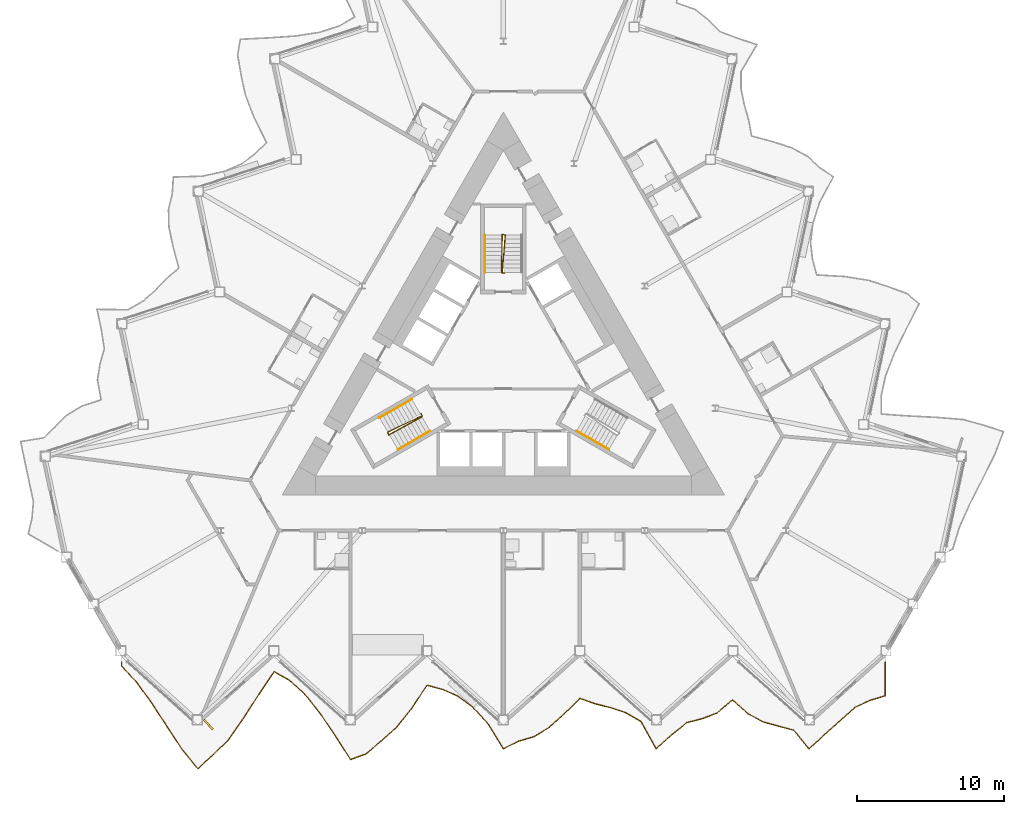
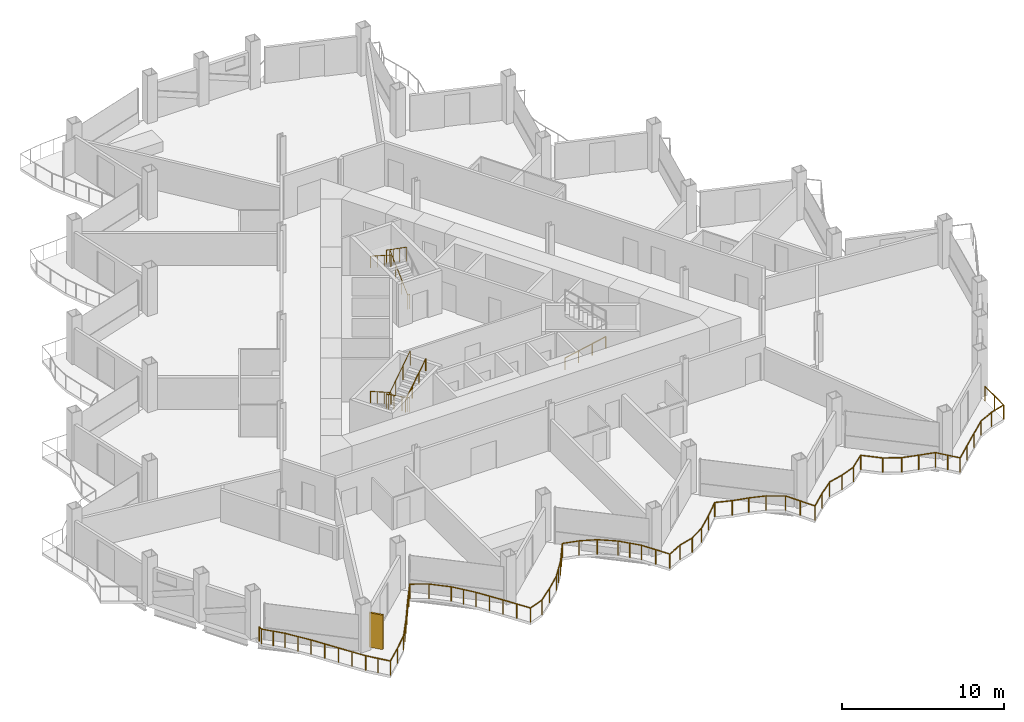
# One storey, part 19 of 23: 7 railings, 1 shading device.
"""IFC4 building model written with IfcOpenShell, lengths in metres."""

from ifc_helpers import new_model, si_unit, direction, frame, origin, origin_2d, place, context, subcontext, project, spatial, rectangle, circle, extrude, material, layer, layer_set, type_object, element, save


model = new_model("IFC4")

# Units and contexts
model_context = context("Model", 3, precision=1e-05, world=origin(), true_north=direction((0.0, 1.0)))
body_context = subcontext(model_context, "Body", "Model", "MODEL_VIEW")
ifc_project = project(units=[si_unit("LENGTHUNIT", "METRE"), si_unit("AREAUNIT", "SQUARE_METRE"), si_unit("VOLUMEUNIT", "CUBIC_METRE"), si_unit("PLANEANGLEUNIT", "RADIAN"), si_unit("MASSUNIT", "GRAM", prefix="KILO")], contexts=[model_context])

# Site, building, storey
site_placement = place(None, origin())
site = spatial("IfcSite", under=ifc_project, at=site_placement, CompositionType="ELEMENT")
building_placement = place(site_placement, origin())
building = spatial("IfcBuilding", under=site, at=building_placement, Name="Cormorant Prow Tower", CompositionType="ELEMENT")
storey_placement = place(building_placement, frame((0.0, 0.0, 259.800048828125)))
storey = spatial("IfcBuildingStorey", under=building, at=storey_placement, Name="L58", CompositionType="ELEMENT", Elevation=259.800048828125)

# Railings
ifc_material_1 = material(Name="Aluminium 6063-T6", Category="aluminium")
railing_type_1 = type_object("IfcRailingType", Name="Balcony guard 1100", PredefinedType="GUARDRAIL", material=ifc_material_1)
railing_1_placement = place(storey_placement, frame((-25.8974609375, -19.973388671875, 0.0)))
element("IfcRailing", 1, at=railing_1_placement, inside=storey, type_object=railing_type_1, Name="Balcony guard S", PredefinedType="GUARDRAIL", context=body_context, shape_type="SweptSolid", body=[
    extrude(circle(Radius=0.02392578125, at=origin_2d()), frame((0.0, 0.0, 1.076171875), z_axis=(0.0, -1.0, 0.0), x_axis=(1.0, 0.0, 0.0)), (0.0, 0.0, 1.0), 0.27001953125),
    extrude(circle(Radius=0.02392578125, at=origin_2d()), frame((0.0, -0.27001953125, 1.076171875), z_axis=(0.680481856102, -0.732764930599, 0.0), x_axis=(0.732764930599, 0.680481856102, 0.0)), (0.0, 0.0, 1.0), 1.522216796875),
    extrude(circle(Radius=0.02392578125, at=origin_2d()), frame((1.035888671875, -1.385498046875, 1.076171875), z_axis=(0.587389439089, -0.809304421616, 0.0), x_axis=(0.809304421616, 0.587389439089, 0.0)), (0.0, 0.0, 1.0), 1.763427734375),
    extrude(circle(Radius=0.02392578125, at=origin_2d()), frame((2.07177734375, -2.812744140625, 1.076171875), z_axis=(0.544735618128, -0.838607838231, 0.0), x_axis=(0.838607838231, 0.544735618128, 0.0)), (0.0, 0.0, 1.0), 1.901611328125),
    extrude(circle(Radius=0.02392578125, at=origin_2d()), frame((3.107666015625, -4.407470703125, 1.076171875), z_axis=(0.551068360191, -0.83446010234, 0.0), x_axis=(0.83446010234, 0.551068360191, 0.0)), (0.0, 0.0, 1.0), 1.8798828125),
    extrude(circle(Radius=0.02392578125, at=origin_2d()), frame((4.1435546875, -5.97607421875, 1.076171875), z_axis=(0.635723007907, -0.771917260603, 0.0), x_axis=(0.771917260603, 0.635723007907, 0.0)), (0.0, 0.0, 1.0), 1.62939453125),
    extrude(circle(Radius=0.02392578125, at=origin_2d()), frame((5.179443359375, -7.23388671875, 1.076171875), z_axis=(0.743093821491, 0.669187247683, 0.0), x_axis=(-0.669187247683, 0.743093821491, 0.0)), (0.0, 0.0, 1.0), 1.39404296875),
    extrude(circle(Radius=0.02392578125, at=origin_2d()), frame((6.21533203125, -6.301025390625, 1.076171875), z_axis=(0.712963473906, 0.701201172899, 0.0), x_axis=(-0.701201172899, 0.712963473906, 0.0)), (0.0, 0.0, 1.0), 1.452880859375),
    extrude(circle(Radius=0.02392578125, at=origin_2d()), frame((7.251220703125, -5.2822265625, 1.076171875), z_axis=(0.571399825957, 0.820671821678, 0.0), x_axis=(-0.820671821678, 0.571399825957, 0.0)), (0.0, 0.0, 1.0), 1.81298828125),
    extrude(circle(Radius=0.02392578125, at=origin_2d()), frame((8.287109375, -3.79443359375, 1.076171875), z_axis=(0.541699329154, 0.840572326926, 0.0), x_axis=(-0.840572326926, 0.541699329154, 0.0)), (0.0, 0.0, 1.0), 1.912353515625),
    extrude(circle(Radius=0.02392578125, at=origin_2d()), frame((9.322998046875, -2.18701171875, 1.076171875), z_axis=(0.560754630421, 0.827982031484, 0.0), x_axis=(-0.827982031484, 0.560754630421, 0.0)), (0.0, 0.0, 1.0), 1.847412109375),
    extrude(circle(Radius=0.02392578125, at=origin_2d()), frame((10.35888671875, -0.657470703125, 1.076171875), z_axis=(0.869702561761, -0.493576188715, 0.0), x_axis=(0.493576188715, 0.869702561761, 0.0)), (0.0, 0.0, 1.0), 1.191162109375),
    extrude(circle(Radius=0.02392578125, at=origin_2d()), frame((11.394775390625, -1.245361328125, 1.076171875), z_axis=(0.740224191917, -0.672360130957, 0.0), x_axis=(0.672360130957, 0.740224191917, 0.0)), (0.0, 0.0, 1.0), 1.3994140625),
    extrude(circle(Radius=0.02392578125, at=origin_2d()), frame((12.4306640625, -2.186279296875, 1.076171875), z_axis=(0.625755603892, -0.780019181943, 0.0), x_axis=(0.780019181943, 0.625755603892, 0.0)), (0.0, 0.0, 1.0), 1.655517578125),
    extrude(circle(Radius=0.02392578125, at=origin_2d()), frame((13.466552734375, -3.4775390625, 1.076171875), z_axis=(0.558918446338, -0.829222630144, 0.0), x_axis=(0.829222630144, 0.558918446338, 0.0)), (0.0, 0.0, 1.0), 1.853271484375),
    extrude(circle(Radius=0.02392578125, at=origin_2d()), frame((14.50244140625, -5.014404296875, 1.076171875), z_axis=(0.542080319834, -0.840326678649, 0.0), x_axis=(0.840326678649, 0.542080319834, 0.0)), (0.0, 0.0, 1.0), 1.911376953125),
    extrude(circle(Radius=0.02392578125, at=origin_2d()), frame((15.53857421875, -6.62060546875, 1.076171875), z_axis=(0.936773013032, 0.349937597373, 0.0), x_axis=(-0.349937597373, 0.936773013032, 0.0)), (0.0, 0.0, 1.0), 1.105712890625),
    extrude(circle(Radius=0.02392578125, at=origin_2d()), frame((16.574462890625, -6.233642578125, 1.076171875), z_axis=(0.767494280324, 0.641055792946, 0.0), x_axis=(-0.641055792946, 0.767494280324, 0.0)), (0.0, 0.0, 1.0), 1.349609375),
    extrude(circle(Radius=0.02392578125, at=origin_2d()), frame((17.6103515625, -5.368408203125, 1.076171875), z_axis=(0.743093821491, 0.669187247683, 0.0), x_axis=(-0.669187247683, 0.743093821491, 0.0)), (0.0, 0.0, 1.0), 1.39404296875),
    extrude(circle(Radius=0.02392578125, at=origin_2d()), frame((18.646240234375, -4.435546875, 1.076171875), z_axis=(0.6284991437, 0.77781027659, 0.0), x_axis=(-0.77781027659, 0.6284991437, 0.0)), (0.0, 0.0, 1.0), 1.648193359375),
    extrude(circle(Radius=0.02392578125, at=origin_2d()), frame((19.68212890625, -3.153564453125, 1.076171875), z_axis=(0.549756895545, 0.83532470082, 0.0), x_axis=(-0.83532470082, 0.549756895545, 0.0)), (0.0, 0.0, 1.0), 1.88427734375),
    extrude(circle(Radius=0.02392578125, at=origin_2d()), frame((20.718017578125, -1.57958984375, 1.076171875), z_axis=(0.966713515695, -0.255861248674, 0.0), x_axis=(0.255861248674, 0.966713515695, 0.0)), (0.0, 0.0, 1.0), 1.071533203125),
    extrude(circle(Radius=0.02392578125, at=origin_2d()), frame((21.75390625, -1.853759765625, 1.076171875), z_axis=(0.917447781883, -0.397856214628, 0.0), x_axis=(0.397856214628, 0.917447781883, 0.0)), (0.0, 0.0, 1.0), 1.129150390625),
    extrude(circle(Radius=0.02392578125, at=origin_2d()), frame((22.789794921875, -2.302978515625, 1.076171875), z_axis=(0.804187958149, -0.594375073475, 0.0), x_axis=(0.594375073475, 0.804187958149, 0.0)), (0.0, 0.0, 1.0), 1.2880859375),
    extrude(circle(Radius=0.02392578125, at=origin_2d()), frame((23.82568359375, -3.068603515625, 1.076171875), z_axis=(0.675465068493, -0.737391986155, 0.0), x_axis=(0.737391986155, 0.675465068493, 0.0)), (0.0, 0.0, 1.0), 1.53369140625),
    extrude(circle(Radius=0.02392578125, at=origin_2d()), frame((24.861572265625, -4.199462890625, 1.076171875), z_axis=(0.523870079516, -0.851798180198, 0.0), x_axis=(0.851798180198, 0.523870079516, 0.0)), (0.0, 0.0, 1.0), 1.977294921875),
    extrude(circle(Radius=0.02392578125, at=origin_2d()), frame((25.8974609375, -5.8837890625, 1.076171875), z_axis=(0.895816294336, 0.444424534428, 0.0), x_axis=(-0.444424534428, 0.895816294336, 0.0)), (0.0, 0.0, 1.0), 1.15625),
    extrude(circle(Radius=0.02392578125, at=origin_2d()), frame((26.933349609375, -5.369873046875, 1.076171875), z_axis=(0.959911268083, 0.28030404458, 0.0), x_axis=(-0.28030404458, 0.959911268083, 0.0)), (0.0, 0.0, 1.0), 1.0791015625),
    extrude(circle(Radius=0.02392578125, at=origin_2d()), frame((27.96923828125, -5.0673828125, 1.076171875), z_axis=(0.853724183098, 0.520725473924, 0.0), x_axis=(-0.520725473924, 0.853724183098, 0.0)), (0.0, 0.0, 1.0), 1.21337890625),
    extrude(circle(Radius=0.02392578125, at=origin_2d()), frame((29.005126953125, -4.435546875, 1.076171875), z_axis=(0.743180914128, 0.669090523678, 0.0), x_axis=(-0.669090523678, 0.743180914128, 0.0)), (0.0, 0.0, 1.0), 1.393798828125),
    extrude(circle(Radius=0.02392578125, at=origin_2d()), frame((30.041015625, -3.5029296875, 1.076171875), z_axis=(0.7063572428, 0.707855525898, 0.0), x_axis=(-0.707855525898, 0.7063572428, 0.0)), (0.0, 0.0, 1.0), 1.466552734375),
    extrude(circle(Radius=0.02392578125, at=origin_2d()), frame((31.076904296875, -2.46484375, 1.076171875), z_axis=(0.94211808637, -0.335281242145, 0.0), x_axis=(0.335281242145, 0.94211808637, 0.0)), (0.0, 0.0, 1.0), 1.099609375),
    extrude(circle(Radius=0.02392578125, at=origin_2d()), frame((32.11279296875, -2.83349609375, 1.076171875), z_axis=(0.970504690177, -0.241082239794, 0.0), x_axis=(0.241082239794, 0.970504690177, 0.0)), (0.0, 0.0, 1.0), 1.0673828125),
    extrude(circle(Radius=0.02392578125, at=origin_2d()), frame((33.148681640625, -3.0908203125, 1.076171875), z_axis=(0.949174297029, -0.314750939411, 0.0), x_axis=(0.314750939411, 0.949174297029, 0.0)), (0.0, 0.0, 1.0), 1.09130859375),
    extrude(circle(Radius=0.02392578125, at=origin_2d()), frame((34.1845703125, -3.434326171875, 1.076171875), z_axis=(0.864583362877, -0.502489411467, 0.0), x_axis=(0.502489411467, 0.864583362877, 0.0)), (0.0, 0.0, 1.0), 1.1982421875),
    extrude(circle(Radius=0.02392578125, at=origin_2d()), frame((35.220458984375, -4.036376953125, 1.076171875), z_axis=(0.489084165063, -0.872236596048, 0.0), x_axis=(0.872236596048, 0.489084165063, 0.0)), (0.0, 0.0, 1.0), 2.117919921875),
    extrude(circle(Radius=0.02392578125, at=origin_2d()), frame((36.25634765625, -5.8837890625, 1.076171875), z_axis=(0.743172233243, 0.669100165698, 0.0), x_axis=(-0.669100165698, 0.743172233243, 0.0)), (0.0, 0.0, 1.0), 1.394287109375),
    extrude(circle(Radius=0.02392578125, at=origin_2d()), frame((37.29248046875, -4.950927734375, 1.076171875), z_axis=(0.776779953516, 0.629772104666, 0.0), x_axis=(-0.629772104666, 0.776779953516, 0.0)), (0.0, 0.0, 1.0), 1.33349609375),
    extrude(circle(Radius=0.02392578125, at=origin_2d()), frame((38.328369140625, -4.111083984375, 1.076171875), z_axis=(0.969697239778, 0.244309768872, 0.0), x_axis=(-0.244309768872, 0.969697239778, 0.0)), (0.0, 0.0, 1.0), 1.068359375),
    extrude(circle(Radius=0.02392578125, at=origin_2d()), frame((39.3642578125, -3.85009765625, 1.076171875), z_axis=(0.933928683632, 0.357459387749, 0.0), x_axis=(-0.357459387749, 0.933928683632, 0.0)), (0.0, 0.0, 1.0), 1.109130859375),
    extrude(circle(Radius=0.02392578125, at=origin_2d()), frame((40.400146484375, -3.45361328125, 1.076171875), z_axis=(0.760836555937, 0.648943553131, 0.0), x_axis=(-0.648943553131, 0.760836555937, 0.0)), (0.0, 0.0, 1.0), 1.361572265625),
    extrude(circle(Radius=0.02392578125, at=origin_2d()), frame((41.43603515625, -2.570068359375, 1.076171875), z_axis=(0.743093821491, -0.669187247683, 0.0), x_axis=(0.669187247683, 0.743093821491, 0.0)), (0.0, 0.0, 1.0), 1.39404296875),
    extrude(circle(Radius=0.02392578125, at=origin_2d()), frame((42.471923828125, -3.5029296875, 1.076171875), z_axis=(0.880271170731, -0.474470932703, 0.0), x_axis=(0.474470932703, 0.880271170731, 0.0)), (0.0, 0.0, 1.0), 1.1767578125),
    extrude(circle(Radius=0.02392578125, at=origin_2d()), frame((43.5078125, -4.061279296875, 1.076171875), z_axis=(0.963787522925, -0.266671353268, 0.0), x_axis=(0.266671353268, 0.963787522925, 0.0)), (0.0, 0.0, 1.0), 1.07470703125),
    extrude(circle(Radius=0.02392578125, at=origin_2d()), frame((44.543701171875, -4.347900390625, 1.076171875), z_axis=(0.965806701137, -0.259263217675, 0.0), x_axis=(0.259263217675, 0.965806701137, 0.0)), (0.0, 0.0, 1.0), 1.072509765625),
    extrude(circle(Radius=0.02392578125, at=origin_2d()), frame((45.57958984375, -4.6259765625, 1.076171875), z_axis=(0.635723007907, -0.771917260603, 0.0), x_axis=(0.771917260603, 0.635723007907, 0.0)), (0.0, 0.0, 1.0), 1.62939453125),
    extrude(circle(Radius=0.02392578125, at=origin_2d()), frame((46.615478515625, -5.8837890625, 1.076171875), z_axis=(0.743093821491, 0.669187247683, 0.0), x_axis=(-0.669187247683, 0.743093821491, 0.0)), (0.0, 0.0, 1.0), 1.39404296875),
    extrude(circle(Radius=0.02392578125, at=origin_2d()), frame((47.6513671875, -4.950927734375, 1.076171875), z_axis=(0.743180914128, 0.669090523678, 0.0), x_axis=(-0.669090523678, 0.743180914128, 0.0)), (0.0, 0.0, 1.0), 1.393798828125),
    extrude(circle(Radius=0.02392578125, at=origin_2d()), frame((48.687255859375, -4.018310546875, 1.076171875), z_axis=(0.743180914128, 0.669090523678, 0.0), x_axis=(-0.669090523678, 0.743180914128, 0.0)), (0.0, 0.0, 1.0), 1.393798828125),
    extrude(circle(Radius=0.02392578125, at=origin_2d()), frame((49.72314453125, -3.085693359375, 1.076171875), z_axis=(0.90586107613, 0.423574917521, 0.0), x_axis=(-0.423574917521, 0.90586107613, 0.0)), (0.0, 0.0, 1.0), 1.1435546875),
    extrude(circle(Radius=0.02392578125, at=origin_2d()), frame((50.759033203125, -2.601318359375, 1.076171875), z_axis=(0.958439578878, 0.285295589942, 0.0), x_axis=(-0.285295589942, 0.958439578878, 0.0)), (0.0, 0.0, 1.0), 1.080810546875),
    extrude(circle(Radius=0.02392578125, at=origin_2d()), frame((51.794921875, -2.29296875, 1.076171875), z_axis=(0.0, 1.0, 0.0), x_axis=(-1.0, 0.0, 0.0)), (0.0, 0.0, 1.0), 2.29296875),
    extrude(circle(Radius=0.02099609375, at=origin_2d()), origin(), (0.0, 0.0, 1.0), 1.052001953125),
    extrude(circle(Radius=0.02099609375, at=origin_2d()), frame((0.0, -0.27001953125, 0.0)), (0.0, 0.0, 1.0), 1.052001953125),
    extrude(circle(Radius=0.02099609375, at=origin_2d()), frame((0.51806640625, -0.82763671875, 0.0)), (0.0, 0.0, 1.0), 1.052001953125),
    extrude(circle(Radius=0.02099609375, at=origin_2d()), frame((1.035888671875, -1.385498046875, 0.0)), (0.0, 0.0, 1.0), 1.052001953125),
    extrude(circle(Radius=0.02099609375, at=origin_2d()), frame((1.5537109375, -2.09912109375, 0.0)), (0.0, 0.0, 1.0), 1.052001953125),
    extrude(circle(Radius=0.02099609375, at=origin_2d()), frame((2.07177734375, -2.812744140625, 0.0)), (0.0, 0.0, 1.0), 1.052001953125),
    extrude(circle(Radius=0.02099609375, at=origin_2d()), frame((2.58984375, -3.610107421875, 0.0)), (0.0, 0.0, 1.0), 1.052001953125),
    extrude(circle(Radius=0.02099609375, at=origin_2d()), frame((3.107666015625, -4.407470703125, 0.0)), (0.0, 0.0, 1.0), 1.052001953125),
    extrude(circle(Radius=0.02099609375, at=origin_2d()), frame((3.62548828125, -5.19189453125, 0.0)), (0.0, 0.0, 1.0), 1.052001953125),
    extrude(circle(Radius=0.02099609375, at=origin_2d()), frame((4.1435546875, -5.97607421875, 0.0)), (0.0, 0.0, 1.0), 1.052001953125),
    extrude(circle(Radius=0.02099609375, at=origin_2d()), frame((4.66162109375, -6.60498046875, 0.0)), (0.0, 0.0, 1.0), 1.052001953125),
    extrude(circle(Radius=0.02099609375, at=origin_2d()), frame((5.179443359375, -7.23388671875, 0.0)), (0.0, 0.0, 1.0), 1.052001953125),
    extrude(circle(Radius=0.02099609375, at=origin_2d()), frame((6.21533203125, -6.301025390625, 0.0)), (0.0, 0.0, 1.0), 1.052001953125),
    extrude(circle(Radius=0.02099609375, at=origin_2d()), frame((7.251220703125, -5.2822265625, 0.0)), (0.0, 0.0, 1.0), 1.052001953125),
    extrude(circle(Radius=0.02099609375, at=origin_2d()), frame((7.76904296875, -4.538330078125, 0.0)), (0.0, 0.0, 1.0), 1.052001953125),
    extrude(circle(Radius=0.02099609375, at=origin_2d()), frame((8.287109375, -3.79443359375, 0.0)), (0.0, 0.0, 1.0), 1.052001953125),
    extrude(circle(Radius=0.02099609375, at=origin_2d()), frame((8.80517578125, -2.99072265625, 0.0)), (0.0, 0.0, 1.0), 1.052001953125),
    extrude(circle(Radius=0.02099609375, at=origin_2d()), frame((9.322998046875, -2.18701171875, 0.0)), (0.0, 0.0, 1.0), 1.052001953125),
    extrude(circle(Radius=0.02099609375, at=origin_2d()), frame((9.8408203125, -1.42236328125, 0.0)), (0.0, 0.0, 1.0), 1.052001953125),
    extrude(circle(Radius=0.02099609375, at=origin_2d()), frame((10.35888671875, -0.657470703125, 0.0)), (0.0, 0.0, 1.0), 1.052001953125),
    extrude(circle(Radius=0.02099609375, at=origin_2d()), frame((11.394775390625, -1.245361328125, 0.0)), (0.0, 0.0, 1.0), 1.052001953125),
    extrude(circle(Radius=0.02099609375, at=origin_2d()), frame((12.4306640625, -2.186279296875, 0.0)), (0.0, 0.0, 1.0), 1.052001953125),
    extrude(circle(Radius=0.02099609375, at=origin_2d()), frame((12.94873046875, -2.83203125, 0.0)), (0.0, 0.0, 1.0), 1.052001953125),
    extrude(circle(Radius=0.02099609375, at=origin_2d()), frame((13.466552734375, -3.4775390625, 0.0)), (0.0, 0.0, 1.0), 1.052001953125),
    extrude(circle(Radius=0.02099609375, at=origin_2d()), frame((13.984375, -4.24609375, 0.0)), (0.0, 0.0, 1.0), 1.052001953125),
    extrude(circle(Radius=0.02099609375, at=origin_2d()), frame((14.50244140625, -5.014404296875, 0.0)), (0.0, 0.0, 1.0), 1.052001953125),
    extrude(circle(Radius=0.02099609375, at=origin_2d()), frame((15.0205078125, -5.8173828125, 0.0)), (0.0, 0.0, 1.0), 1.052001953125),
    extrude(circle(Radius=0.02099609375, at=origin_2d()), frame((15.53857421875, -6.62060546875, 0.0)), (0.0, 0.0, 1.0), 1.052001953125),
    extrude(circle(Radius=0.02099609375, at=origin_2d()), frame((16.574462890625, -6.233642578125, 0.0)), (0.0, 0.0, 1.0), 1.052001953125),
    extrude(circle(Radius=0.02099609375, at=origin_2d()), frame((17.6103515625, -5.368408203125, 0.0)), (0.0, 0.0, 1.0), 1.052001953125),
    extrude(circle(Radius=0.02099609375, at=origin_2d()), frame((18.646240234375, -4.435546875, 0.0)), (0.0, 0.0, 1.0), 1.052001953125),
    extrude(circle(Radius=0.02099609375, at=origin_2d()), frame((19.1640625, -3.79443359375, 0.0)), (0.0, 0.0, 1.0), 1.052001953125),
    extrude(circle(Radius=0.02099609375, at=origin_2d()), frame((19.68212890625, -3.153564453125, 0.0)), (0.0, 0.0, 1.0), 1.052001953125),
    extrude(circle(Radius=0.02099609375, at=origin_2d()), frame((20.2001953125, -2.36669921875, 0.0)), (0.0, 0.0, 1.0), 1.052001953125),
    extrude(circle(Radius=0.02099609375, at=origin_2d()), frame((20.718017578125, -1.57958984375, 0.0)), (0.0, 0.0, 1.0), 1.052001953125),
    extrude(circle(Radius=0.02099609375, at=origin_2d()), frame((21.75390625, -1.853759765625, 0.0)), (0.0, 0.0, 1.0), 1.052001953125),
    extrude(circle(Radius=0.02099609375, at=origin_2d()), frame((22.789794921875, -2.302978515625, 0.0)), (0.0, 0.0, 1.0), 1.052001953125),
    extrude(circle(Radius=0.02099609375, at=origin_2d()), frame((23.82568359375, -3.068603515625, 0.0)), (0.0, 0.0, 1.0), 1.052001953125),
    extrude(circle(Radius=0.02099609375, at=origin_2d()), frame((24.34375, -3.634033203125, 0.0)), (0.0, 0.0, 1.0), 1.052001953125),
    extrude(circle(Radius=0.02099609375, at=origin_2d()), frame((24.861572265625, -4.199462890625, 0.0)), (0.0, 0.0, 1.0), 1.052001953125),
    extrude(circle(Radius=0.02099609375, at=origin_2d()), frame((25.37939453125, -5.04150390625, 0.0)), (0.0, 0.0, 1.0), 1.052001953125),
    extrude(circle(Radius=0.02099609375, at=origin_2d()), frame((25.8974609375, -5.8837890625, 0.0)), (0.0, 0.0, 1.0), 1.052001953125),
    extrude(circle(Radius=0.02099609375, at=origin_2d()), frame((26.933349609375, -5.369873046875, 0.0)), (0.0, 0.0, 1.0), 1.052001953125),
    extrude(circle(Radius=0.02099609375, at=origin_2d()), frame((27.96923828125, -5.0673828125, 0.0)), (0.0, 0.0, 1.0), 1.052001953125),
    extrude(circle(Radius=0.02099609375, at=origin_2d()), frame((29.005126953125, -4.435546875, 0.0)), (0.0, 0.0, 1.0), 1.052001953125),
    extrude(circle(Radius=0.02099609375, at=origin_2d()), frame((30.041015625, -3.5029296875, 0.0)), (0.0, 0.0, 1.0), 1.052001953125),
    extrude(circle(Radius=0.02099609375, at=origin_2d()), frame((31.076904296875, -2.46484375, 0.0)), (0.0, 0.0, 1.0), 1.052001953125),
    extrude(circle(Radius=0.02099609375, at=origin_2d()), frame((32.11279296875, -2.83349609375, 0.0)), (0.0, 0.0, 1.0), 1.052001953125),
    extrude(circle(Radius=0.02099609375, at=origin_2d()), frame((33.148681640625, -3.0908203125, 0.0)), (0.0, 0.0, 1.0), 1.052001953125),
    extrude(circle(Radius=0.02099609375, at=origin_2d()), frame((34.1845703125, -3.434326171875, 0.0)), (0.0, 0.0, 1.0), 1.052001953125),
    extrude(circle(Radius=0.02099609375, at=origin_2d()), frame((35.220458984375, -4.036376953125, 0.0)), (0.0, 0.0, 1.0), 1.052001953125),
    extrude(circle(Radius=0.02099609375, at=origin_2d()), frame((35.73828125, -4.9599609375, 0.0)), (0.0, 0.0, 1.0), 1.052001953125),
    extrude(circle(Radius=0.02099609375, at=origin_2d()), frame((36.25634765625, -5.8837890625, 0.0)), (0.0, 0.0, 1.0), 1.052001953125),
    extrude(circle(Radius=0.02099609375, at=origin_2d()), frame((37.29248046875, -4.950927734375, 0.0)), (0.0, 0.0, 1.0), 1.052001953125),
    extrude(circle(Radius=0.02099609375, at=origin_2d()), frame((38.328369140625, -4.111083984375, 0.0)), (0.0, 0.0, 1.0), 1.052001953125),
    extrude(circle(Radius=0.02099609375, at=origin_2d()), frame((39.3642578125, -3.85009765625, 0.0)), (0.0, 0.0, 1.0), 1.052001953125),
    extrude(circle(Radius=0.02099609375, at=origin_2d()), frame((40.400146484375, -3.45361328125, 0.0)), (0.0, 0.0, 1.0), 1.052001953125),
    extrude(circle(Radius=0.02099609375, at=origin_2d()), frame((41.43603515625, -2.570068359375, 0.0)), (0.0, 0.0, 1.0), 1.052001953125),
    extrude(circle(Radius=0.02099609375, at=origin_2d()), frame((42.471923828125, -3.5029296875, 0.0)), (0.0, 0.0, 1.0), 1.052001953125),
    extrude(circle(Radius=0.02099609375, at=origin_2d()), frame((43.5078125, -4.061279296875, 0.0)), (0.0, 0.0, 1.0), 1.052001953125),
    extrude(circle(Radius=0.02099609375, at=origin_2d()), frame((44.543701171875, -4.347900390625, 0.0)), (0.0, 0.0, 1.0), 1.052001953125),
    extrude(circle(Radius=0.02099609375, at=origin_2d()), frame((45.57958984375, -4.6259765625, 0.0)), (0.0, 0.0, 1.0), 1.052001953125),
    extrude(circle(Radius=0.02099609375, at=origin_2d()), frame((46.09765625, -5.2548828125, 0.0)), (0.0, 0.0, 1.0), 1.052001953125),
    extrude(circle(Radius=0.02099609375, at=origin_2d()), frame((46.615478515625, -5.8837890625, 0.0)), (0.0, 0.0, 1.0), 1.052001953125),
    extrude(circle(Radius=0.02099609375, at=origin_2d()), frame((47.6513671875, -4.950927734375, 0.0)), (0.0, 0.0, 1.0), 1.052001953125),
    extrude(circle(Radius=0.02099609375, at=origin_2d()), frame((48.687255859375, -4.018310546875, 0.0)), (0.0, 0.0, 1.0), 1.052001953125),
    extrude(circle(Radius=0.02099609375, at=origin_2d()), frame((49.72314453125, -3.085693359375, 0.0)), (0.0, 0.0, 1.0), 1.052001953125),
    extrude(circle(Radius=0.02099609375, at=origin_2d()), frame((50.759033203125, -2.601318359375, 0.0)), (0.0, 0.0, 1.0), 1.052001953125),
    extrude(circle(Radius=0.02099609375, at=origin_2d()), frame((51.794921875, -2.29296875, 0.0)), (0.0, 0.0, 1.0), 1.052001953125),
    extrude(circle(Radius=0.02099609375, at=origin_2d()), frame((51.794921875, -1.146484375, 0.0)), (0.0, 0.0, 1.0), 1.052001953125),
    extrude(circle(Radius=0.02099609375, at=origin_2d()), frame((51.794921875, 0.0, 0.0)), (0.0, 0.0, 1.0), 1.052001953125),
])
ifc_material_2 = material(Name="Stainless steel", Category="steel")
railing_type_2 = type_object("IfcRailingType", Name="Stair guard 1100", PredefinedType="GUARDRAIL", material=ifc_material_2)
railing_2_placement = place(storey_placement, frame((-5.585205078125, -3.137939453125, 0.0)))
element("IfcRailing", 2, at=railing_2_placement, inside=storey, type_object=railing_type_2, Name="L58 ST1 stair guard 1", PredefinedType="GUARDRAIL", context=body_context, shape_type="SweptSolid", body=[
    extrude(circle(Radius=0.02392578125, at=origin_2d()), frame((0.0, 0.0, 1.076171875), z_axis=(0.501036270542, -0.865426285481, 0.0), x_axis=(0.865426285481, 0.501036270542, 0.0)), (0.0, 0.0, 1.0), 0.150146484375),
    extrude(circle(Radius=0.02392578125, at=origin_2d()), frame((0.0751953125, -0.1298828125, 1.076171875), z_axis=(-0.739707038506, -0.353624380995, 0.572523619033), x_axis=(0.431308035802, -0.902204731895, 0.0)), (0.0, 0.0, 1.0), 3.14404296875),
    extrude(circle(Radius=0.02392578125, at=origin_2d()), frame((-2.25048828125, -1.24169921875, 2.8759765625), z_axis=(0.274721127897, -0.961523947641, 0.0), x_axis=(0.961523947641, 0.274721127897, 0.0)), (0.0, 0.0, 1.0), 0.2060546875),
    extrude(circle(Radius=0.02392578125, at=origin_2d()), frame((-2.19384765625, -1.43994140625, 2.8759765625), z_axis=(0.717255481879, 0.395700334183, 0.573555419504), x_axis=(-0.483052234887, 0.87559153626, 0.0)), (0.0, 0.0, 1.0), 3.137939453125),
    extrude(circle(Radius=0.02099609375, at=origin_2d()), origin(), (0.0, 0.0, 1.0), 1.052001953125),
    extrude(circle(Radius=0.02099609375, at=origin_2d()), frame((0.0751953125, -0.1298828125, 0.0)), (0.0, 0.0, 1.0), 1.052001953125),
    extrude(circle(Radius=0.02099609375, at=origin_2d()), frame((-0.699951171875, -0.50048828125, 0.60009765625)), (0.0, 0.0, 1.0), 1.052001953125),
    extrude(circle(Radius=0.02099609375, at=origin_2d()), frame((-1.475341796875, -0.87109375, 1.199951171875)), (0.0, 0.0, 1.0), 1.052001953125),
    extrude(circle(Radius=0.02099609375, at=origin_2d()), frame((-2.25048828125, -1.24169921875, 1.800048828125)), (0.0, 0.0, 1.0), 1.052001953125),
    extrude(circle(Radius=0.02099609375, at=origin_2d()), frame((-2.19384765625, -1.43994140625, 1.800048828125)), (0.0, 0.0, 1.0), 1.052001953125),
    extrude(circle(Radius=0.02099609375, at=origin_2d()), frame((-1.443603515625, -1.026123046875, 2.39990234375)), (0.0, 0.0, 1.0), 1.052001953125),
    extrude(circle(Radius=0.02099609375, at=origin_2d()), frame((-0.693359375, -0.612060546875, 3.0)), (0.0, 0.0, 1.0), 1.052001953125),
    extrude(circle(Radius=0.02099609375, at=origin_2d()), frame((0.056884765625, -0.1982421875, 3.599853515625)), (0.0, 0.0, 1.0), 1.052001953125),
])
railing_3_placement = place(storey_placement, frame((0.074951171875, 6.40576171875, 0.0)))
element("IfcRailing", 3, at=railing_3_placement, inside=storey, type_object=railing_type_2, Name="L58 ST3 stair guard 1", PredefinedType="GUARDRAIL", context=body_context, shape_type="SweptSolid", body=[
    extrude(circle(Radius=0.02392578125, at=origin_2d()), frame((0.0, 0.0, 1.076171875), z_axis=(-1.0, 0.0, 0.0), x_axis=(0.0, -1.0, 0.0)), (0.0, 0.0, 1.0), 0.14990234375),
    extrude(circle(Radius=0.02392578125, at=origin_2d()), frame((-0.14990234375, 0.0, 1.076171875), z_axis=(0.063595540489, 0.817423998443, 0.572515164864), x_axis=(-0.996987254287, 0.077565551559, 0.0)), (0.0, 0.0, 1.0), 3.14404296875),
    extrude(circle(Radius=0.02392578125, at=origin_2d()), frame((0.050048828125, 2.570068359375, 2.8759765625), z_axis=(-0.970072785993, 0.242814311512, 0.0), x_axis=(-0.242814311512, -0.970072785993, 0.0)), (0.0, 0.0, 1.0), 0.2060546875),
    extrude(circle(Radius=0.02392578125, at=origin_2d()), frame((-0.14990234375, 2.6201171875, 2.8759765625), z_axis=(-0.015949268585, -0.819014392183, 0.573551258589), x_axis=(0.999810440751, -0.019470042781, 0.0)), (0.0, 0.0, 1.0), 3.137939453125),
    extrude(circle(Radius=0.02099609375, at=origin_2d()), origin(), (0.0, 0.0, 1.0), 1.052001953125),
    extrude(circle(Radius=0.02099609375, at=origin_2d()), frame((-0.14990234375, 0.0, 0.0)), (0.0, 0.0, 1.0), 1.052001953125),
    extrude(circle(Radius=0.02099609375, at=origin_2d()), frame((-0.083251953125, 0.856689453125, 0.60009765625)), (0.0, 0.0, 1.0), 1.052001953125),
    extrude(circle(Radius=0.02099609375, at=origin_2d()), frame((-0.0166015625, 1.71337890625, 1.199951171875)), (0.0, 0.0, 1.0), 1.052001953125),
    extrude(circle(Radius=0.02099609375, at=origin_2d()), frame((0.050048828125, 2.570068359375, 1.800048828125)), (0.0, 0.0, 1.0), 1.052001953125),
    extrude(circle(Radius=0.02099609375, at=origin_2d()), frame((-0.14990234375, 2.6201171875, 1.800048828125)), (0.0, 0.0, 1.0), 1.052001953125),
    extrude(circle(Radius=0.02099609375, at=origin_2d()), frame((-0.16650390625, 1.763427734375, 2.39990234375)), (0.0, 0.0, 1.0), 1.052001953125),
    extrude(circle(Radius=0.02099609375, at=origin_2d()), frame((-0.183349609375, 0.90673828125, 3.0)), (0.0, 0.0, 1.0), 1.052001953125),
    extrude(circle(Radius=0.02099609375, at=origin_2d()), frame((-0.199951171875, 0.050048828125, 3.599853515625)), (0.0, 0.0, 1.0), 1.052001953125),
])
ifc_material_3 = material(Name="Stainless steel", Category="steel")
railing_type_3 = type_object("IfcRailingType", Name="Stair handrail 900", PredefinedType="HANDRAIL", material=ifc_material_3)
railing_4_placement = place(storey_placement, frame((-6.212890625, -2.150634765625, 0.179931640625)))
element("IfcRailing", 4, at=railing_4_placement, inside=storey, type_object=railing_type_3, Name="L58 ST1 stair handrail 1", PredefinedType="HANDRAIL", context=body_context, shape_type="SweptSolid", body=[
    extrude(circle(Radius=0.02392578125, at=origin_2d()), frame((0.0, 0.0, 0.8759765625), z_axis=(-0.728463801763, -0.420584145978, 0.540785970299), x_axis=(0.500004791531, -0.866022637375, 0.0)), (0.0, 0.0, 1.0), 2.995849609375),
    extrude(circle(Radius=0.02099609375, at=origin_2d()), origin(), (0.0, 0.0, 1.0), 0.851806640625),
    extrude(circle(Radius=0.02099609375, at=origin_2d()), frame((-0.7275390625, -0.419921875, 0.5400390625)), (0.0, 0.0, 1.0), 0.851806640625),
    extrude(circle(Radius=0.02099609375, at=origin_2d()), frame((-1.454833984375, -0.840087890625, 1.080078125)), (0.0, 0.0, 1.0), 0.851806640625),
    extrude(circle(Radius=0.02099609375, at=origin_2d()), frame((-2.182373046875, -1.260009765625, 1.6201171875)), (0.0, 0.0, 1.0), 0.851806640625),
])
railing_5_placement = place(storey_placement, frame((-7.1513671875, -5.565185546875, 1.97998046875)))
element("IfcRailing", 5, at=railing_5_placement, inside=storey, type_object=railing_type_3, Name="L58 ST1 stair handrail 2", PredefinedType="HANDRAIL", context=body_context, shape_type="SweptSolid", body=[
    extrude(circle(Radius=0.02392578125, at=origin_2d()), frame((0.0, 0.0, 0.8759765625), z_axis=(0.72849590497, 0.42060268101, 0.54072830624), x_axis=(-0.500004791531, 0.866022637375, 0.0)), (0.0, 0.0, 1.0), 2.99560546875),
    extrude(circle(Radius=0.02099609375, at=origin_2d()), origin(), (0.0, 0.0, 1.0), 0.851806640625),
    extrude(circle(Radius=0.02099609375, at=origin_2d()), frame((0.7275390625, 0.419921875, 0.5400390625)), (0.0, 0.0, 1.0), 0.851806640625),
    extrude(circle(Radius=0.02099609375, at=origin_2d()), frame((1.454833984375, 0.840087890625, 1.079833984375)), (0.0, 0.0, 1.0), 0.851806640625),
    extrude(circle(Radius=0.02099609375, at=origin_2d()), frame((2.182373046875, 1.260009765625, 1.619873046875)), (0.0, 0.0, 1.0), 0.851806640625),
])
railing_6_placement = place(storey_placement, frame((4.968994140625, -4.30517578125, 0.179931640625)))
element("IfcRailing", 6, at=railing_6_placement, inside=storey, type_object=railing_type_3, Name="L58 ST2 stair handrail 1", PredefinedType="HANDRAIL", context=body_context, shape_type="SweptSolid", body=[
    extrude(circle(Radius=0.02392578125, at=origin_2d()), frame((0.0, 0.0, 0.8759765625), z_axis=(0.728463801763, -0.420584145978, 0.540785970299), x_axis=(0.500004791531, 0.866022637375, 0.0)), (0.0, 0.0, 1.0), 2.995849609375),
    extrude(circle(Radius=0.02099609375, at=origin_2d()), origin(), (0.0, 0.0, 1.0), 0.851806640625),
    extrude(circle(Radius=0.02099609375, at=origin_2d()), frame((0.7275390625, -0.419921875, 0.5400390625)), (0.0, 0.0, 1.0), 0.851806640625),
    extrude(circle(Radius=0.02099609375, at=origin_2d()), frame((1.454833984375, -0.840087890625, 1.080078125)), (0.0, 0.0, 1.0), 0.851806640625),
    extrude(circle(Radius=0.02099609375, at=origin_2d()), frame((2.182373046875, -1.260009765625, 1.6201171875)), (0.0, 0.0, 1.0), 0.851806640625),
])
railing_7_placement = place(storey_placement, frame((-1.243896484375, 8.975830078125, 1.97998046875)))
element("IfcRailing", 7, at=railing_7_placement, inside=storey, type_object=railing_type_3, Name="L58 ST3 stair handrail 2", PredefinedType="HANDRAIL", context=body_context, shape_type="SweptSolid", body=[
    extrude(circle(Radius=0.02392578125, at=origin_2d()), frame((0.0, 0.0, 0.8759765625), z_axis=(0.0, -0.841199657755, 0.540724639528), x_axis=(1.0, 0.0, 0.0)), (0.0, 0.0, 1.0), 2.995849609375),
    extrude(circle(Radius=0.02099609375, at=origin_2d()), origin(), (0.0, 0.0, 1.0), 0.851806640625),
    extrude(circle(Radius=0.02099609375, at=origin_2d()), frame((0.0, -0.840087890625, 0.5400390625)), (0.0, 0.0, 1.0), 0.851806640625),
    extrude(circle(Radius=0.02099609375, at=origin_2d()), frame((0.0, -1.679931640625, 1.079833984375)), (0.0, 0.0, 1.0), 0.851806640625),
    extrude(circle(Radius=0.02099609375, at=origin_2d()), frame((0.0, -2.52001953125, 1.619873046875)), (0.0, 0.0, 1.0), 0.851806640625),
])

# Shading device
ifc_material_4 = material(Name="Terracotta", Category="masonry")
ifc_layer = layer(ifc_material_4, 0.1201171875)
ifc_layer_set = layer_set([ifc_layer], Name="Terracotta")
shading_device_type = type_object("IfcShadingDeviceType", Name="Terracotta baguette fin 120x900x2600", PredefinedType="USERDEFINED", material=ifc_layer_set)
shading_device_placement = place(storey_placement, frame((-20.0, -24.21630859375, 0.0), z_axis=(0.0, 0.0, 1.0), x_axis=(0.743144829063, 0.669130602377, 0.0)))
element("IfcShadingDevice", 8, at=shading_device_placement, inside=storey, type_object=shading_device_type, Name="Baguette fin S01", ObjectType="BAGUETTE", PredefinedType="USERDEFINED", context=body_context, shape_type="SweptSolid", body=[
    extrude(rectangle(XDim=0.1201171875, YDim=0.89990234375, at=origin_2d()), origin(), (0.0, 0.0, 1.0), 2.60009765625),
])

save(model, "model.ifc")
